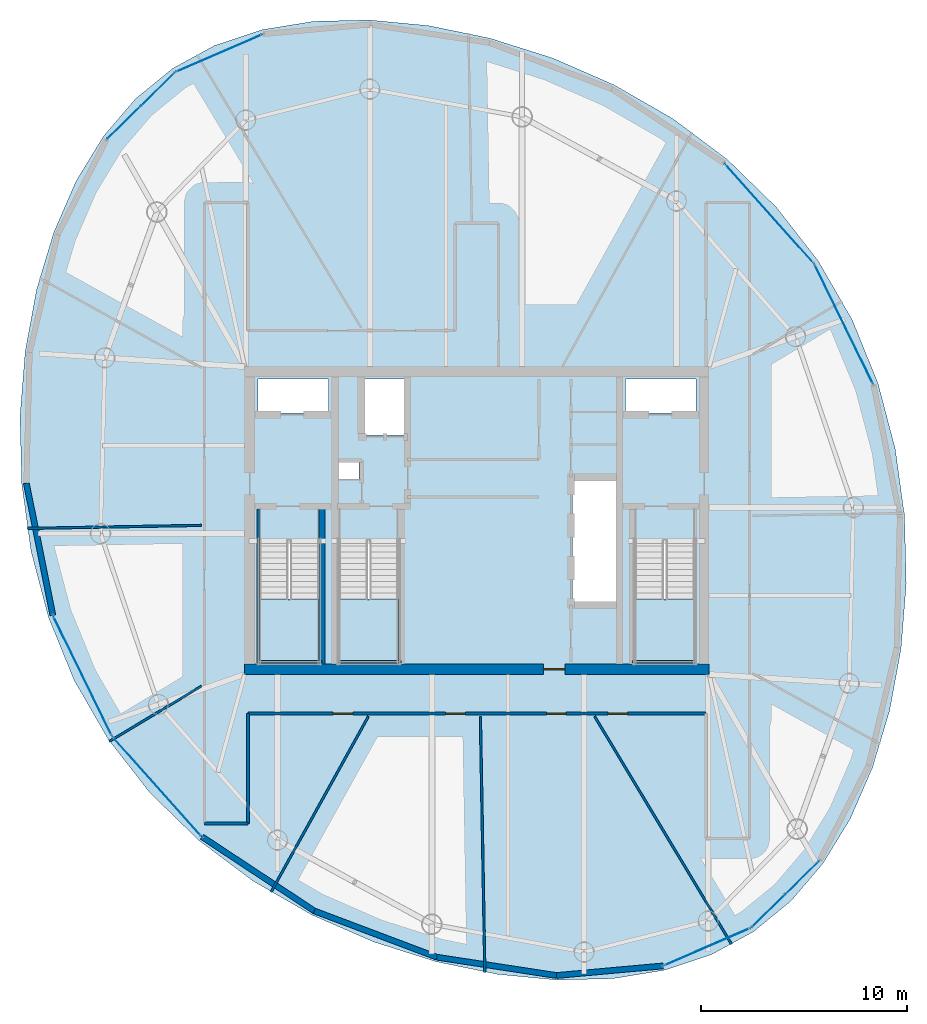
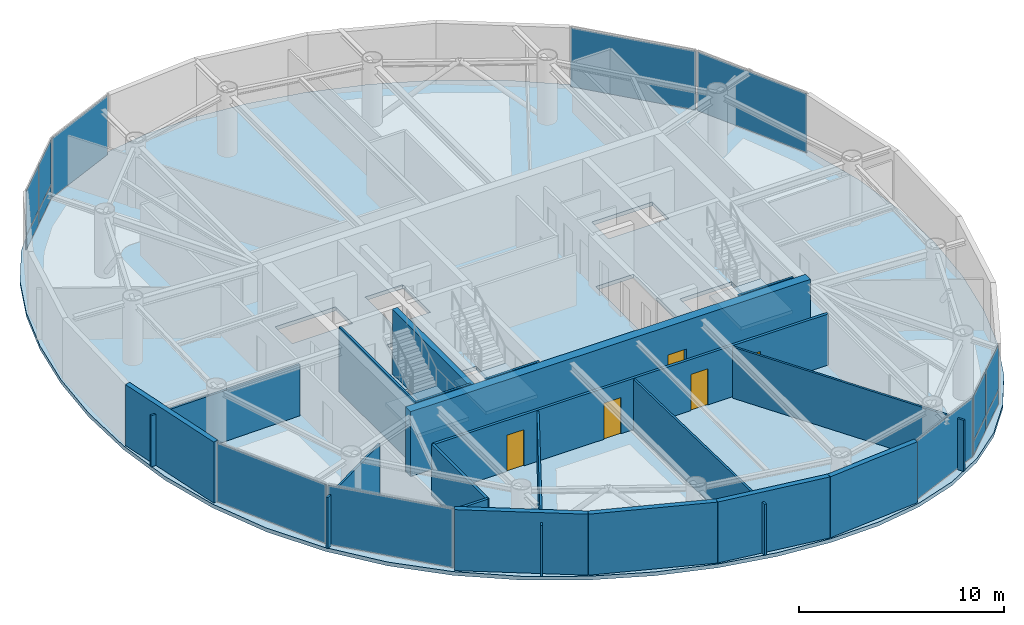
# One storey, part 15 of 21: 19 walls, 14 plates, 5 doors, 4 slabs, 5 openings, 11 elements without a shape of their own.
"""IFC4 building model written with IfcOpenShell, lengths in metres."""

from ifc_helpers import new_model, si_unit, direction, frame, frame_2d, origin, origin_2d, place, context, subcontext, project, spatial, polyline, rectangle, outline, extrude, material, layer, layer_set, type_object, element, fill, aggregate, save


model = new_model("IFC4")

# Units and contexts
model_context = context("Model", 3, precision=1e-05, world=origin(), true_north=direction((0.0, 1.0)))
body_context = subcontext(model_context, "Body", "Model", "MODEL_VIEW")
ifc_project = project(units=[si_unit("LENGTHUNIT", "METRE"), si_unit("AREAUNIT", "SQUARE_METRE"), si_unit("VOLUMEUNIT", "CUBIC_METRE"), si_unit("PLANEANGLEUNIT", "RADIAN"), si_unit("MASSUNIT", "GRAM", prefix="KILO")], contexts=[model_context])

# Site, building, storey
site_placement = place(None, origin())
site = spatial("IfcSite", under=ifc_project, at=site_placement, CompositionType="ELEMENT")
building_placement = place(site_placement, origin())
building = spatial("IfcBuilding", under=site, at=building_placement, Name="Bramvorn Convention Spire", CompositionType="ELEMENT")
storey_placement = place(building_placement, frame((0.0, 0.0, 257.449951171875)))
storey = spatial("IfcBuildingStorey", under=building, at=storey_placement, Name="L65", CompositionType="ELEMENT", Elevation=257.449951171875)

# Curtain wall, plates
ifc_material_1 = material(Name="Anodised Bronze Unitised Curtain Wall", Category="aluminium")
ifc_layer_1 = layer(ifc_material_1, 0.179931640625)
ifc_layer_set_1 = layer_set([ifc_layer_1], Name="Anodised Bronze Unitised Curtain Wall - CW-OFF-FRIT")
curtain_wall_type = type_object("IfcCurtainWallType", Name="CW-OFF-FRIT", PredefinedType="USERDEFINED", material=ifc_layer_set_1)
curtain_wall_1_placement = place(storey_placement, origin())
curtain_wall_1 = element("IfcCurtainWall", 1, at=curtain_wall_1_placement, inside=storey, type_object=curtain_wall_type, Name="L65 fritted glass curtain wall 01", ObjectType="UNITISED CURTAIN WALL", PredefinedType="USERDEFINED")
ifc_material_2 = material(Name="Laminated Low-E Glass (Triple IGU High-VLT Low-Iron 22%)", Category="glass")
ifc_layer_2 = layer(ifc_material_2, 0.0419921875)
ifc_layer_set_2 = layer_set([ifc_layer_2], Name="Laminated Low-E Glass (Triple IGU High-VLT Low-Iron 22%) - PNL-IGU-4")
plate_type = type_object("IfcPlateType", Name="PNL-IGU-4", PredefinedType="CURTAIN_PANEL", material=ifc_layer_set_2)
plate_1_placement = place(storey_placement, frame((53.757568359375, 8.7080078125, 0.06005859375), z_axis=(0.0, 0.0, 1.0), x_axis=(-0.71330437057, -0.700854389246, 0.0)))
plate_1 = element("IfcPlate", 2, at=plate_1_placement, type_object=plate_type, Name="CW3 panel 1.1", PredefinedType="CURTAIN_PANEL", context=body_context, shape_type="SweptSolid", body=[
    extrude(rectangle(XDim=2.2353515625, YDim=0.028076171875, at=origin_2d()), origin(), (0.0, 0.0, 1.0), 0.81005859375),
])
plate_2_placement = place(storey_placement, frame((53.757568359375, 8.7080078125, 0.93017578125), z_axis=(0.0, 0.0, 1.0), x_axis=(-0.71330437057, -0.700854389246, 0.0)))
plate_2 = element("IfcPlate", 3, at=plate_2_placement, type_object=plate_type, Name="CW3 panel 1.2", PredefinedType="CURTAIN_PANEL", context=body_context, shape_type="SweptSolid", body=[
    extrude(rectangle(XDim=2.2353515625, YDim=0.028076171875, at=origin_2d()), origin(), (0.0, 0.0, 1.0), 2.635009765625),
])
plate_3_placement = place(storey_placement, frame((52.120361328125, 7.099365234375, 0.06005859375), z_axis=(0.0, 0.0, 1.0), x_axis=(-0.71330437057, -0.700854389246, 0.0)))
plate_3 = element("IfcPlate", 4, at=plate_3_placement, type_object=plate_type, Name="CW3 panel 2.1", PredefinedType="CURTAIN_PANEL", context=body_context, shape_type="SweptSolid", body=[
    extrude(rectangle(XDim=2.2353515625, YDim=0.028076171875, at=origin_2d()), origin(), (0.0, 0.0, 1.0), 0.81005859375),
])
plate_4_placement = place(storey_placement, frame((52.120361328125, 7.099365234375, 0.93017578125), z_axis=(0.0, 0.0, 1.0), x_axis=(-0.71330437057, -0.700854389246, 0.0)))
plate_4 = element("IfcPlate", 5, at=plate_4_placement, type_object=plate_type, Name="CW3 panel 2.2", PredefinedType="CURTAIN_PANEL", context=body_context, shape_type="SweptSolid", body=[
    extrude(rectangle(XDim=2.2353515625, YDim=0.028076171875, at=origin_2d()), origin(), (0.0, 0.0, 1.0), 2.635009765625),
])
aggregate(curtain_wall_1, [plate_1, plate_2, plate_3, plate_4])

# Curtain wall, plate
curtain_wall_2_placement = place(storey_placement, origin())
curtain_wall_2 = element("IfcCurtainWall", 6, at=curtain_wall_2_placement, inside=storey, type_object=curtain_wall_type, Name="L65 fritted glass curtain wall 06", ObjectType="UNITISED CURTAIN WALL", PredefinedType="USERDEFINED")
plate_5_placement = place(storey_placement, frame((55.76806640625, 35.51171875, 0.06005859375), z_axis=(0.0, 0.0, 1.0), x_axis=(0.43945055552, -0.898266780669, 0.0)))
plate_5 = element("IfcPlate", 7, at=plate_5_placement, type_object=plate_type, Name="CW3 panel 1.1", PredefinedType="CURTAIN_PANEL", context=body_context, shape_type="SweptSolid", body=[
    extrude(rectangle(XDim=6.406982421875, YDim=0.028076171875, at=origin_2d()), origin(), (0.0, 0.0, 1.0), 3.5048828125),
])
aggregate(curtain_wall_2, [plate_5])

curtain_wall_3_placement = place(storey_placement, origin())
curtain_wall_3 = element("IfcCurtainWall", 8, at=curtain_wall_3_placement, inside=storey, type_object=curtain_wall_type, Name="L65 fritted glass curtain wall 07", ObjectType="UNITISED CURTAIN WALL", PredefinedType="USERDEFINED")
plate_6_placement = place(storey_placement, frame((52.1572265625, 40.874755859375, 0.06005859375), z_axis=(0.0, 0.0, 1.0), x_axis=(0.666941740274, -0.745109867792, 0.0)))
plate_6 = element("IfcPlate", 9, at=plate_6_placement, type_object=plate_type, Name="CW3 panel 1.1", PredefinedType="CURTAIN_PANEL", context=body_context, shape_type="SweptSolid", body=[
    extrude(rectangle(XDim=6.406982421875, YDim=0.028076171875, at=origin_2d()), origin(), (0.0, 0.0, 1.0), 3.5048828125),
])
aggregate(curtain_wall_3, [plate_6])

curtain_wall_4_placement = place(storey_placement, origin())
curtain_wall_4 = element("IfcCurtainWall", 10, at=curtain_wall_4_placement, inside=storey, type_object=curtain_wall_type, Name="L65 fritted glass curtain wall 12", ObjectType="UNITISED CURTAIN WALL", PredefinedType="USERDEFINED")
plate_7_placement = place(storey_placement, frame((25.51318359375, 48.640625, 0.06005859375), z_axis=(0.0, 0.0, 1.0), x_axis=(0.917733347844, 0.397197057209, 0.0)))
plate_7 = element("IfcPlate", 11, at=plate_7_placement, type_object=plate_type, Name="CW3 panel 1.1", PredefinedType="CURTAIN_PANEL", context=body_context, shape_type="SweptSolid", body=[
    extrude(rectangle(XDim=4.530517578125, YDim=0.028076171875, at=origin_2d()), origin(), (0.0, 0.0, 1.0), 3.5048828125),
])
aggregate(curtain_wall_4, [plate_7])

# Curtain wall, plates
curtain_wall_5_placement = place(storey_placement, origin())
curtain_wall_5 = element("IfcCurtainWall", 12, at=curtain_wall_5_placement, inside=storey, type_object=curtain_wall_type, Name="L65 fritted glass curtain wall 13", ObjectType="UNITISED CURTAIN WALL", PredefinedType="USERDEFINED")
plate_8_placement = place(storey_placement, frame((20.902099609375, 45.282958984375, 0.06005859375), z_axis=(0.0, 0.0, 1.0), x_axis=(0.71330437057, 0.700854389246, 0.0)))
plate_8 = element("IfcPlate", 13, at=plate_8_placement, type_object=plate_type, Name="CW3 panel 1.1", PredefinedType="CURTAIN_PANEL", context=body_context, shape_type="SweptSolid", body=[
    extrude(rectangle(XDim=2.2353515625, YDim=0.028076171875, at=origin_2d()), origin(), (0.0, 0.0, 1.0), 0.81005859375),
])
plate_9_placement = place(storey_placement, frame((20.902099609375, 45.282958984375, 0.93017578125), z_axis=(0.0, 0.0, 1.0), x_axis=(0.71330437057, 0.700854389246, 0.0)))
plate_9 = element("IfcPlate", 14, at=plate_9_placement, type_object=plate_type, Name="CW3 panel 1.2", PredefinedType="CURTAIN_PANEL", context=body_context, shape_type="SweptSolid", body=[
    extrude(rectangle(XDim=2.2353515625, YDim=0.028076171875, at=origin_2d()), origin(), (0.0, 0.0, 1.0), 2.635009765625),
])
plate_10_placement = place(storey_placement, frame((22.539306640625, 46.8916015625, 0.06005859375), z_axis=(0.0, 0.0, 1.0), x_axis=(0.71330437057, 0.700854389246, 0.0)))
plate_10 = element("IfcPlate", 15, at=plate_10_placement, type_object=plate_type, Name="CW3 panel 2.1", PredefinedType="CURTAIN_PANEL", context=body_context, shape_type="SweptSolid", body=[
    extrude(rectangle(XDim=2.2353515625, YDim=0.028076171875, at=origin_2d()), origin(), (0.0, 0.0, 1.0), 0.81005859375),
])
plate_11_placement = place(storey_placement, frame((22.539306640625, 46.8916015625, 0.93017578125), z_axis=(0.0, 0.0, 1.0), x_axis=(0.71330437057, 0.700854389246, 0.0)))
plate_11 = element("IfcPlate", 16, at=plate_11_placement, type_object=plate_type, Name="CW3 panel 2.2", PredefinedType="CURTAIN_PANEL", context=body_context, shape_type="SweptSolid", body=[
    extrude(rectangle(XDim=2.2353515625, YDim=0.028076171875, at=origin_2d()), origin(), (0.0, 0.0, 1.0), 2.635009765625),
])
aggregate(curtain_wall_5, [plate_8, plate_9, plate_10, plate_11])

# Curtain wall, plate
curtain_wall_6_placement = place(storey_placement, origin())
curtain_wall_6 = element("IfcCurtainWall", 17, at=curtain_wall_6_placement, inside=storey, type_object=curtain_wall_type, Name="L65 fritted glass curtain wall 18", ObjectType="UNITISED CURTAIN WALL", PredefinedType="USERDEFINED")
plate_12_placement = place(storey_placement, frame((18.891845703125, 18.479248046875, 0.06005859375), z_axis=(0.0, 0.0, 1.0), x_axis=(-0.439456603439, 0.898263821877, 0.0)))
plate_12 = element("IfcPlate", 18, at=plate_12_placement, type_object=plate_type, Name="CW3 panel 1.1", PredefinedType="CURTAIN_PANEL", context=body_context, shape_type="SweptSolid", body=[
    extrude(rectangle(XDim=6.406982421875, YDim=0.028076171875, at=origin_2d()), origin(), (0.0, 0.0, 1.0), 3.5048828125),
])
aggregate(curtain_wall_6, [plate_12])

curtain_wall_7_placement = place(storey_placement, origin())
curtain_wall_7 = element("IfcCurtainWall", 19, at=curtain_wall_7_placement, inside=storey, type_object=curtain_wall_type, Name="L65 fritted glass curtain wall 19", ObjectType="UNITISED CURTAIN WALL", PredefinedType="USERDEFINED")
plate_13_placement = place(storey_placement, frame((22.50244140625, 13.115966796875, 0.06005859375), z_axis=(0.0, 0.0, 1.0), x_axis=(-0.666941740274, 0.745109867792, 0.0)))
plate_13 = element("IfcPlate", 20, at=plate_13_placement, type_object=plate_type, Name="CW3 panel 1.1", PredefinedType="CURTAIN_PANEL", context=body_context, shape_type="SweptSolid", body=[
    extrude(rectangle(XDim=6.406982421875, YDim=0.028076171875, at=origin_2d()), origin(), (0.0, 0.0, 1.0), 3.5048828125),
])
aggregate(curtain_wall_7, [plate_13])

curtain_wall_8_placement = place(storey_placement, origin())
curtain_wall_8 = element("IfcCurtainWall", 21, at=curtain_wall_8_placement, inside=storey, type_object=curtain_wall_type, Name="L65 fritted glass curtain wall 24", ObjectType="UNITISED CURTAIN WALL", PredefinedType="USERDEFINED")
plate_14_placement = place(storey_placement, frame((49.146484375, 5.350341796875, 0.06005859375), z_axis=(0.0, 0.0, 1.0), x_axis=(-0.917725509565, -0.39721516725, 0.0)))
plate_14 = element("IfcPlate", 22, at=plate_14_placement, type_object=plate_type, Name="CW3 panel 1.1", PredefinedType="CURTAIN_PANEL", context=body_context, shape_type="SweptSolid", body=[
    extrude(rectangle(XDim=4.530517578125, YDim=0.028076171875, at=origin_2d()), origin(), (0.0, 0.0, 1.0), 3.5048828125),
])
aggregate(curtain_wall_8, [plate_14])

# Stair, slab
ifc_material_3 = material(Name="Concrete C40/50 Precast Stair", Category="concrete")
stair_type = type_object("IfcStairType", Name="ST-TOWER-1550", PredefinedType="HALF_TURN_STAIR", material=ifc_material_3)
stair_1_placement = place(storey_placement, origin())
stair_1 = element("IfcStair", 23, at=stair_1_placement, inside=storey, type_object=stair_type, Name="L65 Protected Exit Stair ST1", PredefinedType="HALF_TURN_STAIR")
ifc_material_4 = material(Name="Concrete C40/50 Stair Landing", Category="concrete")
ifc_layer_3 = layer(ifc_material_4, 0.219970703125)
ifc_layer_set_3 = layer_set([ifc_layer_3], Name="Concrete C40/50 Stair Landing - SLB-STAIR-LANDING")
slab_type_1 = type_object("IfcSlabType", Name="SLB-STAIR-LANDING", PredefinedType="LANDING", material=ifc_layer_set_3)
slab_1_placement = place(storey_placement, frame((0.0, 0.0, 1.72509765625)))
slab_1 = element("IfcSlab", 24, at=slab_1_placement, type_object=slab_type_1, Name="ST1 landing 1", PredefinedType="LANDING", context=body_context, shape_type="SweptSolid", body=[
    extrude(outline(polyline([(27.449951171875, 22.199951171875), (27.449951171875, 19.10009765625), (30.35009765625, 19.10009765625), (30.35009765625, 22.199951171875), (27.449951171875, 22.199951171875)])), origin(), (0.0, 0.0, 1.0), 0.199951171875),
])
aggregate(stair_1, [slab_1])

stair_2_placement = place(storey_placement, origin())
stair_2 = element("IfcStair", 25, at=stair_2_placement, inside=storey, type_object=stair_type, Name="L65 Protected Exit Stair ST2", PredefinedType="HALF_TURN_STAIR")
slab_2_placement = place(storey_placement, frame((0.0, 0.0, 1.72509765625)))
slab_2 = element("IfcSlab", 26, at=slab_2_placement, type_object=slab_type_1, Name="ST2 landing 1", PredefinedType="LANDING", context=body_context, shape_type="SweptSolid", body=[
    extrude(outline(polyline([(45.64990234375, 22.199951171875), (45.64990234375, 19.10009765625), (48.550048828125, 19.10009765625), (48.550048828125, 22.199951171875), (45.64990234375, 22.199951171875)])), origin(), (0.0, 0.0, 1.0), 0.199951171875),
])
aggregate(stair_2, [slab_2])

stair_3_placement = place(storey_placement, origin())
stair_3 = element("IfcStair", 27, at=stair_3_placement, inside=storey, type_object=stair_type, Name="L65 Protected Exit Stair ST3", PredefinedType="HALF_TURN_STAIR")
slab_3_placement = place(storey_placement, frame((0.0, 0.0, 1.72509765625)))
slab_3 = element("IfcSlab", 28, at=slab_3_placement, type_object=slab_type_1, Name="ST3 landing 1", PredefinedType="LANDING", context=body_context, shape_type="SweptSolid", body=[
    extrude(outline(polyline([(31.300048828125, 22.199951171875), (31.300048828125, 19.10009765625), (34.199951171875, 19.10009765625), (34.199951171875, 22.199951171875), (31.300048828125, 22.199951171875)])), origin(), (0.0, 0.0, 1.0), 0.199951171875),
])
aggregate(stair_3, [slab_3])

# Slab
ifc_material_5 = material(Name="Concrete C40/50", Category="concrete")
ifc_layer_4 = layer(ifc_material_5, 0.22509765625)
ifc_layer_set_4 = layer_set([ifc_layer_4], Name="Concrete C40/50 - SLB-Z4-225")
slab_type_2 = type_object("IfcSlabType", Name="SLB-Z4-225", PredefinedType="FLOOR", material=ifc_layer_set_4)
slab_4_placement = place(storey_placement, frame((0.0, 0.0, -0.224853515625)))
element("IfcSlab", 29, at=slab_4_placement, inside=storey, type_object=slab_type_2, Name="L65 tower floor slab", PredefinedType="FLOOR", context=body_context, shape_type="SweptSolid", body=[
    extrude(outline(polyline([(51.4033203125, 6.09130859375), (53.201171875, 7.561767578125), (54.76025390625, 9.38671875), (56.082275390625, 11.553955078125), (57.16259765625, 14.038818359375), (57.989990234375, 16.803466796875), (58.543212890625, 19.796142578125), (58.79443359375, 22.952880859375), (58.71142578125, 26.200927734375), (58.262451171875, 29.462646484375), (57.42236328125, 32.659912109375), (56.177490234375, 35.71923828125), (54.531005859375, 38.57568359375), (52.503662109375, 41.17626953125), (50.137451171875, 43.480712890625), (47.4912109375, 45.4619140625), (44.637939453125, 47.10498046875), (41.659912109375, 48.404052734375), (38.640380859375, 49.35888671875), (35.65966796875, 49.97216796875), (32.786865234375, 50.24560546875), (30.077880859375, 50.179443359375), (27.572509765625, 49.77001953125), (25.294921875, 49.01220703125), (23.25634765625, 47.8994140625), (21.45849609375, 46.42919921875), (19.8994140625, 44.604248046875), (18.577392578125, 42.43701171875), (17.4970703125, 39.951904296875), (16.669677734375, 37.1875), (16.116455078125, 34.19482421875), (15.865234375, 31.0380859375), (15.9482421875, 27.7900390625), (16.397216796875, 24.5283203125), (17.2373046875, 21.3310546875), (18.482177734375, 18.271484375), (20.12890625, 15.4150390625), (22.156005859375, 12.814453125), (24.522216796875, 10.51025390625), (27.168701171875, 8.529052734375), (30.021728515625, 6.885986328125), (33.0, 5.5869140625), (36.019287109375, 4.632080078125), (39.0, 4.018798828125), (41.872802734375, 3.7451171875), (44.581787109375, 3.811279296875), (47.087158203125, 4.220703125), (49.364501953125, 4.978759765625), (51.4033203125, 6.09130859375)]), holes=[polyline([(27.449951171875, 25.050048828125), (27.449951171875, 19.10009765625), (30.35009765625, 19.10009765625), (30.35009765625, 25.050048828125), (27.449951171875, 25.050048828125)]), polyline([(45.64990234375, 25.050048828125), (45.64990234375, 19.10009765625), (48.550048828125, 19.10009765625), (48.550048828125, 25.050048828125), (45.64990234375, 25.050048828125)]), polyline([(31.300048828125, 25.050048828125), (31.300048828125, 19.10009765625), (34.199951171875, 19.10009765625), (34.199951171875, 25.050048828125), (31.300048828125, 25.050048828125)]), polyline([(27.39990234375, 31.219970703125), (30.800048828125, 31.219970703125), (30.800048828125, 32.85009765625), (27.39990234375, 32.85009765625), (27.39990234375, 31.219970703125)]), polyline([(45.199951171875, 31.219970703125), (48.60009765625, 31.219970703125), (48.60009765625, 32.85009765625), (45.199951171875, 32.85009765625), (45.199951171875, 31.219970703125)]), polyline([(32.449951171875, 30.14990234375), (34.56005859375, 30.14990234375), (34.56005859375, 32.85009765625), (32.449951171875, 32.85009765625), (32.449951171875, 30.14990234375)]), polyline([(42.6201171875, 22.0), (44.75, 22.0), (44.75, 28.0), (42.6201171875, 28.0), (42.6201171875, 22.0)]), polyline([(31.320068359375, 28.02001953125), (32.280029296875, 28.02001953125), (32.280029296875, 28.820068359375), (31.320068359375, 28.820068359375), (31.320068359375, 28.02001953125)])]), origin(), (0.0, 0.0, 1.0), 0.224853515625),
])

# Wall, opening, door
ifc_material_6 = material(Name="Concrete C50/60", Category="concrete")
ifc_layer_5 = layer(ifc_material_6, 0.5)
ifc_layer_set_5 = layer_set([ifc_layer_5], Name="Concrete C50/60 - WL-CORE-500")
wall_type_1 = type_object("IfcWallType", Name="WL-CORE-500", PredefinedType="SHEAR", material=ifc_layer_set_5)
wall_1_placement = place(storey_placement, frame((26.75, 18.800048828125, 0.0), z_axis=(0.0, 0.0, 1.0), x_axis=(1.0, 0.0, 0.0)))
wall_1 = element("IfcWall", 30, at=wall_1_placement, inside=storey, type_object=wall_type_1, Name="L65 South RC core shear wall", PredefinedType="SHEAR", context=body_context, shape_type="SweptSolid", body=[
    extrude(rectangle(XDim=22.5, YDim=0.5, at=frame_2d((11.25, 0.0))), origin(), (0.0, 0.0, 1.0), 3.85009765625),
])
opening_1_placement = place(wall_1_placement, frame((14.469970703125, 0.0, 0.0)))
opening_1 = element("IfcOpeningElement", 31, at=opening_1_placement, cuts=wall_1, Name="Opening DL-105", PredefinedType="OPENING", context=body_context, shape_type="SweptSolid", body=[
    extrude(rectangle(XDim=1.050048828125, YDim=2.14990234375, at=frame_2d((0.52490234375, 1.074951171875))), frame((0.0, 0.260009765625, 0.0), z_axis=(0.0, -1.0, 0.0), x_axis=(1.0, 0.0, 0.0)), (0.0, 0.0, 1.0), 0.52001953125),
])
ifc_material_7 = material(Name="Smoke-Sealed Fire Lobby Timber-Core Door", Category="wood")
door_type_1 = type_object("IfcDoorType", Name="DR-LOBBY-1050", OperationType="NOTDEFINED", PredefinedType="DOOR", material=ifc_material_7)
door_1_placement = place(opening_1_placement, origin())
door_1 = element("IfcDoor", 32, at=door_1_placement, inside=storey, type_object=door_type_1, Name="L65 South Lift Lobby fire door", OperationType="SINGLE_SWING_RIGHT", OverallHeight=2.14990234375, OverallWidth=1.050048828125, PredefinedType="DOOR", context=body_context, shape_type="SweptSolid", body=[
    extrude(rectangle(XDim=1.050048828125, YDim=2.14990234375, at=frame_2d((0.52490234375, 1.074951171875))), frame((0.0, 0.02490234375, 0.0), z_axis=(0.0, -1.0, 0.0), x_axis=(1.0, 0.0, 0.0)), (0.0, 0.0, 1.0), 0.050048828125),
])
fill(opening_1, door_1)

# Walls
ifc_material_8 = material(Name="Precast Concrete C40/50 with Bronze Terracotta Rainscreen", Category="masonry")
ifc_layer_6 = layer(ifc_material_8, 0.300048828125)
ifc_layer_set_6 = layer_set([ifc_layer_6], Name="Precast Concrete C40/50 with Bronze Terracotta Rainscreen - WL-EXT-BRONZE-300")
wall_type_2 = type_object("IfcWallType", Name="WL-EXT-BRONZE-300", PredefinedType="SOLIDWALL", material=ifc_layer_set_6)
for number, where, z_axis, x_axis, name in (
    (33, (17.45751953125, 21.41064453125, 0.0), (0.0, 0.0, 1.0), (-0.196662861998, 0.98047117179, 0.0), "L65 expressed bronze Gothic lancet pier wall 17"),
    (34, (30.124755859375, 7.087890625, 0.0), (0.0, 0.0, 1.0), (-0.834453898675, 0.551077754029, 0.0), "L65 expressed bronze Gothic lancet pier wall 20"),
):
    element("IfcWall", number, at=place(storey_placement, frame(where, z_axis=z_axis, x_axis=x_axis)), inside=storey, type_object=wall_type_2, Name=name, PredefinedType="SOLIDWALL", context=body_context, shape_type="SweptSolid", body=[
        extrude(rectangle(XDim=6.526123046875, YDim=0.280029296875, at=frame_2d((3.26318359375, 0.0))), origin(), (0.0, 0.0, 1.0), 3.625),
    ])
wall_2_placement = place(storey_placement, frame((36.061279296875, 4.847900390625, 0.0), z_axis=(0.0, 0.0, 1.0), x_axis=(-0.935612509886, 0.353028655133, 0.0)))
element("IfcWall", 35, at=wall_2_placement, inside=storey, type_object=wall_type_2, Name="L65 expressed bronze Gothic lancet pier wall 21", PredefinedType="SOLIDWALL", context=body_context, shape_type="SweptSolid", body=[
    extrude(rectangle(XDim=6.344970703125, YDim=0.280029296875, at=frame_2d((3.17236328125, 0.0))), origin(), (0.0, 0.0, 1.0), 3.625),
])
wall_3_placement = place(storey_placement, frame((41.85400390625, 3.962158203125, 0.0), z_axis=(0.0, 0.0, 1.0), x_axis=(-0.988510956269, 0.151149228699, 0.0)))
element("IfcWall", 36, at=wall_3_placement, inside=storey, type_object=wall_type_2, Name="L65 expressed bronze Gothic lancet pier wall 22", PredefinedType="SOLIDWALL", context=body_context, shape_type="SweptSolid", body=[
    extrude(rectangle(XDim=5.860107421875, YDim=0.280029296875, at=frame_2d((2.93017578125, 0.0))), origin(), (0.0, 0.0, 1.0), 3.625),
])
wall_4_placement = place(storey_placement, frame((47.012451171875, 4.426513671875, 0.0), z_axis=(0.0, 0.0, 1.0), x_axis=(-0.995972797436, -0.089655935478, 0.0)))
element("IfcWall", 37, at=wall_4_placement, inside=storey, type_object=wall_type_2, Name="L65 expressed bronze Gothic lancet pier wall 23", PredefinedType="SOLIDWALL", context=body_context, shape_type="SweptSolid", body=[
    extrude(rectangle(XDim=5.17919921875, YDim=0.280029296875, at=frame_2d((2.589599609375, 0.0))), origin(), (0.0, 0.0, 1.0), 3.625),
])
ifc_material_9 = material(Name="Lightweight En-Suite & Wet-Wall Partition", Category="gypsum")
ifc_layer_7 = layer(ifc_material_9, 0.110107421875)
ifc_layer_set_7 = layer_set([ifc_layer_7], Name="Lightweight En-Suite & Wet-Wall Partition - WL-PART-110")
wall_type_3 = type_object("IfcWallType", Name="WL-PART-110", PredefinedType="PARTITIONING", material=ifc_layer_set_7)
wall_5_placement = place(storey_placement, frame((24.659912109375, 25.76708984375, 0.0), z_axis=(0.0, 0.0, 1.0), x_axis=(-0.99984806608, -0.017431143282, 0.0)))
element("IfcWall", 38, at=wall_5_placement, inside=storey, type_object=wall_type_3, Name="L65 Tenant suite partition 7", PredefinedType="PARTITIONING", context=body_context, shape_type="SweptSolid", body=[
    extrude(rectangle(XDim=8.445556640625, YDim=0.110107421875, at=frame_2d((4.22265625, 0.0))), origin(), (0.0, 0.0, 1.0), 3.0400390625),
])
wall_6_placement = place(storey_placement, frame((24.659912109375, 17.984619140625, 0.0), z_axis=(0.0, 0.0, 1.0), x_axis=(-0.857154603796, -0.51505920552, 0.0)))
element("IfcWall", 39, at=wall_6_placement, inside=storey, type_object=wall_type_3, Name="L65 Tenant suite partition 8", PredefinedType="PARTITIONING", context=body_context, shape_type="SweptSolid", body=[
    extrude(rectangle(XDim=5.22412109375, YDim=0.110107421875, at=frame_2d((2.612060546875, 0.0))), origin(), (0.0, 0.0, 1.0), 3.0400390625),
])
wall_7_placement = place(storey_placement, frame((32.739501953125, 16.510009765625, 0.0), z_axis=(0.0, 0.0, 1.0), x_axis=(-0.48480322073, -0.874623254418, 0.0)))
element("IfcWall", 40, at=wall_7_placement, inside=storey, type_object=wall_type_3, Name="L65 Tenant suite partition 9", PredefinedType="PARTITIONING", context=body_context, shape_type="SweptSolid", body=[
    extrude(rectangle(XDim=9.728759765625, YDim=0.110107421875, at=frame_2d((4.8642578125, 0.0))), origin(), (0.0, 0.0, 1.0), 3.0400390625),
])
wall_8_placement = place(storey_placement, frame((38.16552734375, 16.510009765625, 0.0), z_axis=(0.0, 0.0, 1.0), x_axis=(0.017469313604, -0.999847399898, 0.0)))
element("IfcWall", 41, at=wall_8_placement, inside=storey, type_object=wall_type_3, Name="L65 Tenant suite partition 10", PredefinedType="PARTITIONING", context=body_context, shape_type="SweptSolid", body=[
    extrude(rectangle(XDim=12.396240234375, YDim=0.110107421875, at=frame_2d((6.1982421875, 0.0))), origin(), (0.0, 0.0, 1.0), 3.0400390625),
])
wall_9_placement = place(storey_placement, frame((43.7021484375, 16.510009765625, 0.0), z_axis=(0.0, 0.0, 1.0), x_axis=(0.515031037402, -0.857171529224, 0.0)))
element("IfcWall", 42, at=wall_9_placement, inside=storey, type_object=wall_type_3, Name="L65 Tenant suite partition 11", PredefinedType="PARTITIONING", context=body_context, shape_type="SweptSolid", body=[
    extrude(rectangle(XDim=12.875732421875, YDim=0.110107421875, at=frame_2d((6.43798828125, 0.0))), origin(), (0.0, 0.0, 1.0), 3.0400390625),
])

# Wall, openings, doors
ifc_material_10 = material(Name="Acoustic Metal-Stud Tenant/Corridor Partition", Category="gypsum")
ifc_layer_8 = layer(ifc_material_10, 0.14990234375)
ifc_layer_set_8 = layer_set([ifc_layer_8], Name="Acoustic Metal-Stud Tenant/Corridor Partition - WL-PART-150")
wall_type_4 = type_object("IfcWallType", Name="WL-PART-150", PredefinedType="PARTITIONING", material=ifc_layer_set_8)
wall_10_placement = place(storey_placement, frame((26.89990234375, 16.64990234375, 0.0), z_axis=(0.0, 0.0, 1.0), x_axis=(1.0, 0.0, 0.0)))
wall_10 = element("IfcWall", 43, at=wall_10_placement, inside=storey, type_object=wall_type_4, Name="L65 South H-crossbar wall", PredefinedType="PARTITIONING", context=body_context, shape_type="SweptSolid", body=[
    extrude(rectangle(XDim=22.2001953125, YDim=0.14990234375, at=frame_2d((11.10009765625, 0.0))), origin(), (0.0, 0.0, 1.0), 3.0400390625),
])
opening_2_placement = place(wall_10_placement, frame((4.135498046875, 0.0, 0.0)))
opening_2 = element("IfcOpeningElement", 44, at=opening_2_placement, cuts=wall_10, Name="Opening DH-095", PredefinedType="OPENING", context=body_context, shape_type="SweptSolid", body=[
    extrude(rectangle(XDim=0.949951171875, YDim=2.14990234375, at=frame_2d((0.47509765625, 1.074951171875))), frame((0.0, 0.0849609375, 0.0), z_axis=(0.0, -1.0, 0.0), x_axis=(1.0, 0.0, 0.0)), (0.0, 0.0, 1.0), 0.169921875),
])
opening_3_placement = place(wall_10_placement, frame((9.583984375, 0.0, 0.0)))
opening_3 = element("IfcOpeningElement", 45, at=opening_3_placement, cuts=wall_10, Name="Opening DH-095", PredefinedType="OPENING", context=body_context, shape_type="SweptSolid", body=[
    extrude(rectangle(XDim=0.949951171875, YDim=2.14990234375, at=frame_2d((0.47509765625, 1.074951171875))), frame((0.0, 0.0849609375, 0.0), z_axis=(0.0, -1.0, 0.0), x_axis=(1.0, 0.0, 0.0)), (0.0, 0.0, 1.0), 0.169921875),
])
opening_4_placement = place(wall_10_placement, frame((14.473388671875, 0.0, 0.0)))
opening_4 = element("IfcOpeningElement", 46, at=opening_4_placement, cuts=wall_10, Name="Opening DH-095", PredefinedType="OPENING", context=body_context, shape_type="SweptSolid", body=[
    extrude(rectangle(XDim=0.949951171875, YDim=2.14990234375, at=frame_2d((0.47509765625, 1.074951171875))), frame((0.0, 0.0849609375, 0.0), z_axis=(0.0, -1.0, 0.0), x_axis=(1.0, 0.0, 0.0)), (0.0, 0.0, 1.0), 0.169921875),
])
opening_5_placement = place(wall_10_placement, frame((17.4453125, 0.0, 0.0)))
opening_5 = element("IfcOpeningElement", 47, at=opening_5_placement, cuts=wall_10, Name="Opening DH-095", PredefinedType="OPENING", context=body_context, shape_type="SweptSolid", body=[
    extrude(rectangle(XDim=0.949951171875, YDim=2.14990234375, at=frame_2d((0.47509765625, 1.074951171875))), frame((0.0, 0.0849609375, 0.0), z_axis=(0.0, -1.0, 0.0), x_axis=(1.0, 0.0, 0.0)), (0.0, 0.0, 1.0), 0.169921875),
])
ifc_material_11 = material(Name="Solid-Core Acoustic Guestroom Entry Door", Category="wood")
door_type_2 = type_object("IfcDoorType", Name="DR-HOTEL-950", OperationType="NOTDEFINED", PredefinedType="DOOR", material=ifc_material_11)
door_2_placement = place(opening_2_placement, origin())
door_2 = element("IfcDoor", 48, at=door_2_placement, inside=storey, type_object=door_type_2, Name="L65 Deposition Meeting Room 2 8 door", OperationType="SINGLE_SWING_LEFT", OverallHeight=2.14990234375, OverallWidth=0.949951171875, PredefinedType="DOOR", context=body_context, shape_type="SweptSolid", body=[
    extrude(rectangle(XDim=0.949951171875, YDim=2.14990234375, at=frame_2d((0.47509765625, 1.074951171875))), frame((0.0, 0.02490234375, 0.0), z_axis=(0.0, -1.0, 0.0), x_axis=(1.0, 0.0, 0.0)), (0.0, 0.0, 1.0), 0.050048828125),
])
fill(opening_2, door_2)
door_3_placement = place(opening_3_placement, origin())
door_3 = element("IfcDoor", 49, at=door_3_placement, inside=storey, type_object=door_type_2, Name="L65 Case File Store 9 door", OperationType="SINGLE_SWING_RIGHT", OverallHeight=2.14990234375, OverallWidth=0.949951171875, PredefinedType="DOOR", context=body_context, shape_type="SweptSolid", body=[
    extrude(rectangle(XDim=0.949951171875, YDim=2.14990234375, at=frame_2d((0.47509765625, 1.074951171875))), frame((0.0, 0.02490234375, 0.0), z_axis=(0.0, -1.0, 0.0), x_axis=(1.0, 0.0, 0.0)), (0.0, 0.0, 1.0), 0.050048828125),
])
fill(opening_3, door_3)
door_4_placement = place(opening_4_placement, origin())
door_4 = element("IfcDoor", 50, at=door_4_placement, inside=storey, type_object=door_type_2, Name="L65 Chambers Pantry Kitchen 10 door", OperationType="SINGLE_SWING_LEFT", OverallHeight=2.14990234375, OverallWidth=0.949951171875, PredefinedType="DOOR", context=body_context, shape_type="SweptSolid", body=[
    extrude(rectangle(XDim=0.949951171875, YDim=2.14990234375, at=frame_2d((0.47509765625, 1.074951171875))), frame((0.0, 0.02490234375, 0.0), z_axis=(0.0, -1.0, 0.0), x_axis=(1.0, 0.0, 0.0)), (0.0, 0.0, 1.0), 0.050048828125),
])
fill(opening_4, door_4)
door_5_placement = place(opening_5_placement, origin())
door_5 = element("IfcDoor", 51, at=door_5_placement, inside=storey, type_object=door_type_2, Name="L65 Tenant Briefing Room 11 door", OperationType="SINGLE_SWING_RIGHT", OverallHeight=2.14990234375, OverallWidth=0.949951171875, PredefinedType="DOOR", context=body_context, shape_type="SweptSolid", body=[
    extrude(rectangle(XDim=0.949951171875, YDim=2.14990234375, at=frame_2d((0.47509765625, 1.074951171875))), frame((0.0, 0.02490234375, 0.0), z_axis=(0.0, -1.0, 0.0), x_axis=(1.0, 0.0, 0.0)), (0.0, 0.0, 1.0), 0.050048828125),
])
fill(opening_5, door_5)

# Walls
wall_11_placement = place(storey_placement, frame((26.89990234375, 11.3212890625, 0.0), z_axis=(0.0, 0.0, 1.0), x_axis=(0.0, 1.0, 0.0)))
element("IfcWall", 52, at=wall_11_placement, inside=storey, type_object=wall_type_4, Name="L65 West gallery SE wall", PredefinedType="PARTITIONING", context=body_context, shape_type="SweptSolid", body=[
    extrude(rectangle(XDim=5.32861328125, YDim=0.14990234375, at=frame_2d((2.664306640625, 0.0))), origin(), (0.0, 0.0, 1.0), 3.0400390625),
])
wall_12_placement = place(storey_placement, frame((24.800048828125, 11.3212890625, 0.0), z_axis=(0.0, 0.0, 1.0), x_axis=(1.0, 0.0, 0.0)))
element("IfcWall", 53, at=wall_12_placement, inside=storey, type_object=wall_type_4, Name="L65 West gallery south end", PredefinedType="PARTITIONING", context=body_context, shape_type="SweptSolid", body=[
    extrude(rectangle(XDim=2.099853515625, YDim=0.14990234375, at=frame_2d((1.0498046875, 0.0))), origin(), (0.0, 0.0, 1.0), 3.0400390625),
])
ifc_layer_9 = layer(ifc_material_6, 0.300048828125)
ifc_layer_set_9 = layer_set([ifc_layer_9], Name="Concrete C50/60 - WL-POD-STAIR-300")
wall_type_5 = type_object("IfcWallType", Name="WL-POD-STAIR-300", PredefinedType="SHEAR", material=ifc_layer_set_9)
wall_13_placement = place(storey_placement, frame((30.489990234375, 19.050048828125, 0.0), z_axis=(0.0, 0.0, 1.0), x_axis=(0.0, 1.0, 0.0)))
element("IfcWall", 54, at=wall_13_placement, inside=storey, type_object=wall_type_5, Name="L65 ST1 east bearing wall", PredefinedType="SHEAR", context=body_context, shape_type="SweptSolid", body=[
    extrude(rectangle(XDim=7.5, YDim=0.300048828125, at=frame_2d((3.75, 0.0))), origin(), (0.0, 0.0, 1.0), 3.85009765625),
])
ifc_layer_10 = layer(ifc_material_6, 0.1201171875)
ifc_layer_set_10 = layer_set([ifc_layer_10], Name="Concrete C50/60 - WL-STAIR-RC-120")
wall_type_6 = type_object("IfcWallType", Name="WL-STAIR-RC-120", PredefinedType="SHEAR", material=ifc_layer_set_10)
wall_14_placement = place(storey_placement, frame((27.39501953125, 19.10009765625, 0.0), z_axis=(0.0, 0.0, 1.0), x_axis=(0.0, 1.0, 0.0)))
element("IfcWall", 55, at=wall_14_placement, inside=storey, type_object=wall_type_6, Name="L65 ST1 west bearing shear wall", PredefinedType="SHEAR", context=body_context, shape_type="SweptSolid", body=[
    extrude(rectangle(XDim=7.449951171875, YDim=0.1201171875, at=frame_2d((3.72509765625, 0.0))), origin(), (0.0, 0.0, 1.0), 3.85009765625),
])
for number, where, z_axis, x_axis, name in (
    (56, (27.39501953125, 19.159912109375, 0.0), (0.0, 0.0, 1.0), (1.0, 0.0, 0.0), "L65 ST1 south bearing shear wall"),
    (57, (45.510009765625, 19.159912109375, 0.0), (0.0, 0.0, 1.0), (1.0, 0.0, 0.0), "L65 ST2 south bearing shear wall"),
):
    element("IfcWall", number, at=place(storey_placement, frame(where, z_axis=z_axis, x_axis=x_axis)), inside=storey, type_object=wall_type_6, Name=name, PredefinedType="SHEAR", context=body_context, shape_type="SweptSolid", body=[
        extrude(rectangle(XDim=3.094970703125, YDim=0.1201171875, at=frame_2d((1.54736328125, 0.0))), origin(), (0.0, 0.0, 1.0), 3.85009765625),
    ])
wall_15_placement = place(storey_placement, frame((31.300048828125, 19.159912109375, 0.0), z_axis=(0.0, 0.0, 1.0), x_axis=(1.0, 0.0, 0.0)))
element("IfcWall", 58, at=wall_15_placement, inside=storey, type_object=wall_type_6, Name="L65 ST3 south bearing shear wall", PredefinedType="SHEAR", context=body_context, shape_type="SweptSolid", body=[
    extrude(rectangle(XDim=3.0400390625, YDim=0.1201171875, at=frame_2d((1.52001953125, 0.0))), origin(), (0.0, 0.0, 1.0), 3.85009765625),
])

save(model, "model.ifc")
